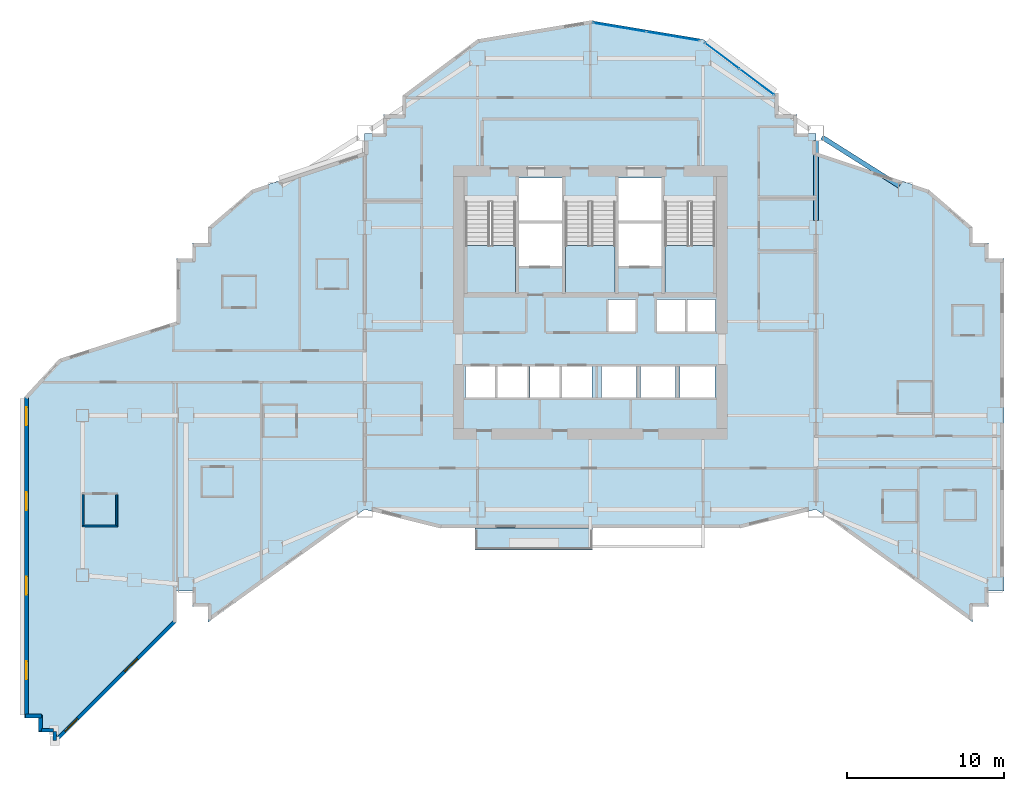
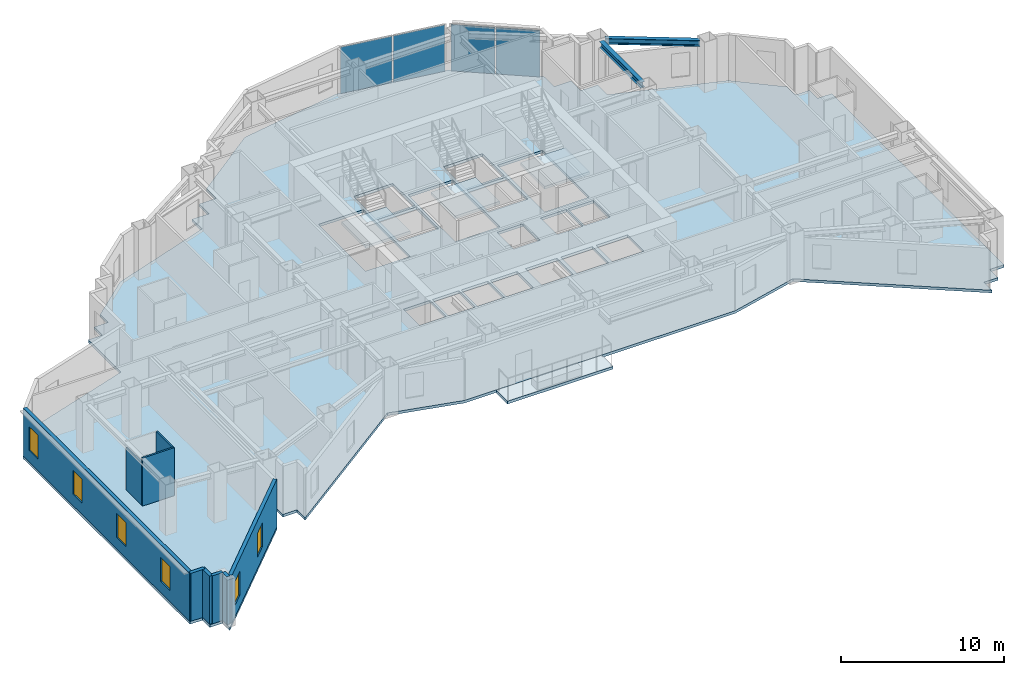
# One storey, part 4 of 14: 9 walls, 6 windows, 5 slabs, 4 plates, 2 beams, 6 openings, 5 elements without a shape of their own.
"""IFC4 building model written with IfcOpenShell, lengths in metres."""

from ifc_helpers import new_model, si_unit, direction, frame, frame_2d, origin, origin_2d, place, context, subcontext, project, spatial, polyline, rectangle, i_section, outline, extrude, material, layer, layer_set, material_profile, profile_set, type_object, element, fill, aggregate, save


model = new_model("IFC4")

# Units and contexts
model_context = context("Model", 3, precision=1e-05, world=origin(), true_north=direction((0.0, 1.0)))
body_context = subcontext(model_context, "Body", "Model", "MODEL_VIEW")
ifc_project = project(units=[si_unit("LENGTHUNIT", "METRE"), si_unit("AREAUNIT", "SQUARE_METRE"), si_unit("VOLUMEUNIT", "CUBIC_METRE"), si_unit("PLANEANGLEUNIT", "RADIAN"), si_unit("MASSUNIT", "GRAM", prefix="KILO")], contexts=[model_context])

# Site, building, storey
site_placement = place(None, origin())
site = spatial("IfcSite", under=ifc_project, at=site_placement, CompositionType="ELEMENT")
building_placement = place(site_placement, origin())
building = spatial("IfcBuilding", under=site, at=building_placement, Name="Haolan Belvedere Tower", CompositionType="ELEMENT")
storey_placement = place(building_placement, frame((0.0, 0.0, 113.60009765625)))
storey = spatial("IfcBuildingStorey", under=building, at=storey_placement, Name="L28", CompositionType="ELEMENT", Elevation=113.60009765625)

# Beams
ifc_material_1 = material(Name="Steel Q355B", Category="steel")
ifc_material_profile = material_profile(ifc_material_1, i_section(OverallWidth=0.300048828125, OverallDepth=0.43994140625, WebThickness=0.010986328125, FlangeThickness=0.01806640625, FilletRadius=0.02392578125, at=origin_2d()), Name="Steel Q355B")
ifc_profile_set = profile_set([ifc_material_profile], Name="Steel Q355B")
beam_type = type_object("IfcBeamType", Name="BM-HM440x300x11x18", PredefinedType="SPANDREL", material=ifc_profile_set)
beam_1_placement = place(storey_placement, frame((52.800048828125, 40.050048828125, 3.3798828125), z_axis=(0.0, 1.0, 0.0), x_axis=(-1.0, 0.0, 0.0)))
element("IfcBeam", 1, at=beam_1_placement, inside=storey, type_object=beam_type, Name="L28 spandrel girder TC-T3-E2-MC-T3-NE", PredefinedType="SPANDREL", context=body_context, shape_type="SweptSolid", body=[
    extrude(i_section(OverallWidth=0.300048828125, OverallDepth=0.43994140625, WebThickness=0.010986328125, FlangeThickness=0.01806640625, FilletRadius=0.02392578125, at=origin_2d()), origin(), (0.0, 0.0, 1.0), 5.099853515625),
])
beam_2_placement = place(storey_placement, frame((53.180419921875, 45.359619140625, 3.3798828125), z_axis=(0.845497840649, -0.533978839898, 0.0), x_axis=(0.533978839898, 0.845497840649, 0.0)))
element("IfcBeam", 2, at=beam_2_placement, inside=storey, type_object=beam_type, Name="L28 spandrel girder MC-T3-NE-TC-T4-N1", PredefinedType="SPANDREL", context=body_context, shape_type="SweptSolid", body=[
    extrude(i_section(OverallWidth=0.300048828125, OverallDepth=0.43994140625, WebThickness=0.010986328125, FlangeThickness=0.01806640625, FilletRadius=0.02392578125, at=origin_2d()), origin(), (0.0, 0.0, 1.0), 5.841796875),
])

# Curtain wall, plates
ifc_material_2 = material(Name="Anodised champagne-silver aluminium 6063-T6 and Low-E glass", Category="aluminium")
ifc_layer_1 = layer(ifc_material_2, 0.155029296875, Name="Anodised champagne-silver aluminium 6063-T6 and Low-E glass")
ifc_layer_set_1 = layer_set([ifc_layer_1], Name="Anodised champagne-silver aluminium 6063-T6 and Low-E glass")
curtain_wall_type = type_object("IfcCurtainWallType", Name="CW-SYS-03", PredefinedType="NOTDEFINED", material=ifc_layer_set_1)
curtain_wall_1_placement = place(storey_placement, origin())
curtain_wall_1 = element("IfcCurtainWall", 3, at=curtain_wall_1_placement, inside=storey, type_object=curtain_wall_type, Name="L28 CW-SYS-03 ribbon curtain wall 26.1", PredefinedType="NOTDEFINED")
ifc_material_3 = material(Name="Double silver Low-E laminated insulating glass", Category="glass")
ifc_layer_2 = layer(ifc_material_3, 0.02392578125, Name="Double silver Low-E laminated insulating glass")
ifc_layer_set_2 = layer_set([ifc_layer_2], Name="Double silver Low-E laminated insulating glass")
plate_type = type_object("IfcPlateType", Name="CW-SYS-03-PNL", PredefinedType="CURTAIN_PANEL", material=ifc_layer_set_2)
plate_1_placement = place(storey_placement, frame((49.0302734375, 48.877197265625, 0.0537109375), z_axis=(0.0, 0.0, 1.0), x_axis=(-0.800004262313, 0.599994316874, 0.0)))
plate_1 = element("IfcPlate", 4, at=plate_1_placement, type_object=plate_type, Name="CW-03 panel 1.1", PredefinedType="CURTAIN_PANEL", context=body_context, shape_type="SweptSolid", body=[
    extrude(rectangle(XDim=2.728271484375, YDim=0.02392578125, at=origin_2d()), origin(), (0.0, 0.0, 1.0), 3.491943359375),
])
plate_2_placement = place(storey_placement, frame((46.80126953125, 50.549072265625, 0.0537109375), z_axis=(0.0, 0.0, 1.0), x_axis=(-0.800004262313, 0.599994316874, 0.0)))
plate_2 = element("IfcPlate", 5, at=plate_2_placement, type_object=plate_type, Name="CW-03 panel 2.1", PredefinedType="CURTAIN_PANEL", context=body_context, shape_type="SweptSolid", body=[
    extrude(rectangle(XDim=2.728271484375, YDim=0.02392578125, at=origin_2d()), origin(), (0.0, 0.0, 1.0), 3.491943359375),
])
aggregate(curtain_wall_1, [plate_1, plate_2])

curtain_wall_2_placement = place(storey_placement, origin())
curtain_wall_2 = element("IfcCurtainWall", 6, at=curtain_wall_2_placement, inside=storey, type_object=curtain_wall_type, Name="L28 CW-SYS-03 ribbon curtain wall 27.1", PredefinedType="NOTDEFINED")
plate_3_placement = place(storey_placement, frame((43.68017578125, 51.79833984375, 0.0537109375), z_axis=(0.0, 0.0, 1.0), x_axis=(-0.9863931483, 0.16440364043, 0.0)))
plate_3 = element("IfcPlate", 7, at=plate_3_placement, type_object=plate_type, Name="CW-03 panel 1.1", PredefinedType="CURTAIN_PANEL", context=body_context, shape_type="SweptSolid", body=[
    extrude(rectangle(XDim=3.39794921875, YDim=0.02392578125, at=origin_2d()), origin(), (0.0, 0.0, 1.0), 3.491943359375),
])
plate_4_placement = place(storey_placement, frame((40.271240234375, 52.366455078125, 0.0537109375), z_axis=(0.0, 0.0, 1.0), x_axis=(-0.9863931483, 0.16440364043, 0.0)))
plate_4 = element("IfcPlate", 8, at=plate_4_placement, type_object=plate_type, Name="CW-03 panel 2.1", PredefinedType="CURTAIN_PANEL", context=body_context, shape_type="SweptSolid", body=[
    extrude(rectangle(XDim=3.39794921875, YDim=0.02392578125, at=origin_2d()), origin(), (0.0, 0.0, 1.0), 3.491943359375),
])
aggregate(curtain_wall_2, [plate_3, plate_4])

# Slabs
ifc_material_4 = material(Name="Concrete C40/50", Category="concrete")
ifc_layer_3 = layer(ifc_material_4, 0.2099609375, Name="Concrete C40/50")
ifc_layer_set_3 = layer_set([ifc_layer_3], Name="Concrete C40/50")
slab_type_1 = type_object("IfcSlabType", Name="SL-BAL-210", PredefinedType="FLOOR", material=ifc_layer_set_3)
slab_1_placement = place(storey_placement, frame((0.0, 0.0, -0.22998046875)))
element("IfcSlab", 9, at=slab_1_placement, inside=storey, type_object=slab_type_1, Name="L28 structural tree-planter balcony slab BAL-L28-S1", PredefinedType="FLOOR", context=body_context, shape_type="SweptSolid", body=[
    extrude(outline(polyline([(31.050048828125, 19.02001953125), (38.550048828125, 19.02001953125), (38.550048828125, 20.39990234375), (31.050048828125, 20.39990234375), (31.050048828125, 19.02001953125)])), origin(), (0.0, 0.0, 1.0), 0.2099609375),
])
ifc_layer_4 = layer(ifc_material_4, 0.199951171875, Name="Concrete C40/50")
ifc_layer_set_4 = layer_set([ifc_layer_4], Name="Concrete C40/50")
slab_type_2 = type_object("IfcSlabType", Name="SL-FLR-200", PredefinedType="FLOOR", material=ifc_layer_set_4)
slab_2_placement = place(storey_placement, frame((0.0, 0.0, -0.2001953125)))
element("IfcSlab", 10, at=slab_2_placement, inside=storey, type_object=slab_type_2, Name="L28 structural floor slab", PredefinedType="FLOOR", context=body_context, shape_type="SweptSolid", body=[
    extrude(outline(polyline([(12.0, 14.39990234375), (12.0, 16.39990234375), (13.0, 16.39990234375), (13.0, 15.39990234375), (14.0, 15.39990234375), (14.0, 14.39990234375), (24.0, 21.60009765625), (28.800048828125, 20.39990234375), (48.0, 20.39990234375), (52.800048828125, 21.60009765625), (62.800048828125, 14.39990234375), (62.800048828125, 15.39990234375), (63.800048828125, 15.39990234375), (63.800048828125, 16.39990234375), (64.800048828125, 16.39990234375), (64.800048828125, 37.60009765625), (63.800048828125, 37.60009765625), (63.800048828125, 38.60009765625), (62.800048828125, 38.60009765625), (62.800048828125, 39.60009765625), (60.0, 42.0), (52.800048828125, 44.39990234375), (52.800048828125, 45.60009765625), (51.60009765625, 45.60009765625), (51.60009765625, 46.800048828125), (50.39990234375, 46.800048828125), (50.39990234375, 48.0), (45.60009765625, 51.60009765625), (38.39990234375, 52.800048828125), (31.199951171875, 51.60009765625), (26.39990234375, 48.0), (26.39990234375, 46.800048828125), (25.199951171875, 46.800048828125), (25.199951171875, 45.60009765625), (24.0, 45.60009765625), (24.0, 44.39990234375), (16.800048828125, 42.0), (14.0, 39.60009765625), (14.0, 38.60009765625), (13.0, 38.60009765625), (13.0, 37.60009765625), (12.0, 37.60009765625), (12.0, 33.60009765625), (4.5, 31.199951171875), (2.300048828125, 28.800048828125), (2.300048828125, 8.89501953125), (2.300048828125, 8.294921875), (3.199951171875, 8.294921875), (3.199951171875, 7.39501953125), (4.10009765625, 7.39501953125), (4.10009765625, 6.4951171875), (12.0, 14.39990234375)]), holes=[polyline([(30.449951171875, 41.22998046875), (30.449951171875, 35.449951171875), (33.6298828125, 35.449951171875), (33.6298828125, 41.22998046875), (30.449951171875, 41.22998046875)]), polyline([(36.81005859375, 41.22998046875), (36.81005859375, 35.449951171875), (39.989990234375, 35.449951171875), (39.989990234375, 41.22998046875), (36.81005859375, 41.22998046875)]), polyline([(43.169921875, 41.22998046875), (43.169921875, 35.449951171875), (46.35009765625, 35.449951171875), (46.35009765625, 41.22998046875), (43.169921875, 41.22998046875)]), polyline([(33.830078125, 40.050048828125), (36.610107421875, 40.050048828125), (36.610107421875, 42.75), (33.830078125, 42.75), (33.830078125, 40.050048828125)]), polyline([(33.830078125, 37.14990234375), (36.610107421875, 37.14990234375), (36.610107421875, 39.85009765625), (33.830078125, 39.85009765625), (33.830078125, 37.14990234375)]), polyline([(40.18994140625, 40.050048828125), (42.969970703125, 40.050048828125), (42.969970703125, 42.75), (40.18994140625, 42.75), (40.18994140625, 40.050048828125)]), polyline([(40.18994140625, 37.14990234375), (42.969970703125, 37.14990234375), (42.969970703125, 39.85009765625), (40.18994140625, 39.85009765625), (40.18994140625, 37.14990234375)]), polyline([(39.5400390625, 32.949951171875), (41.389892578125, 32.949951171875), (41.389892578125, 35.0), (39.5400390625, 35.0), (39.5400390625, 32.949951171875)]), polyline([(42.6201171875, 32.949951171875), (44.469970703125, 32.949951171875), (44.469970703125, 35.0), (42.6201171875, 35.0), (42.6201171875, 32.949951171875)]), polyline([(44.580078125, 32.949951171875), (46.3798828125, 32.949951171875), (46.3798828125, 35.0), (44.580078125, 35.0), (44.580078125, 32.949951171875)]), polyline([(30.419921875, 28.75), (32.320068359375, 28.75), (32.320068359375, 30.75), (30.419921875, 30.75), (30.419921875, 28.75)]), polyline([(32.47998046875, 28.75), (34.3798828125, 28.75), (34.3798828125, 30.75), (32.47998046875, 30.75), (32.47998046875, 28.75)]), polyline([(34.5400390625, 28.75), (36.43994140625, 28.75), (36.43994140625, 30.75), (34.5400390625, 30.75), (34.5400390625, 28.75)]), polyline([(36.60009765625, 28.75), (38.5, 28.75), (38.5, 30.75), (36.60009765625, 30.75), (36.60009765625, 28.75)]), polyline([(39.10009765625, 28.75), (41.340087890625, 28.75), (41.340087890625, 30.75), (39.10009765625, 30.75), (39.10009765625, 28.75)]), polyline([(41.610107421875, 28.75), (43.85009765625, 28.75), (43.85009765625, 30.75), (41.610107421875, 30.75), (41.610107421875, 28.75)]), polyline([(44.1201171875, 28.75), (46.360107421875, 28.75), (46.360107421875, 30.75), (44.1201171875, 30.75), (44.1201171875, 28.75)])]), origin(), (0.0, 0.0, 1.0), 0.2001953125),
])

# Stair, slab
stair_type = type_object("IfcStairType", Name="STR-DL-22R-173", PredefinedType="HALF_TURN_STAIR", material=ifc_material_4)
stair_1_placement = place(storey_placement, origin())
stair_1 = element("IfcStair", 11, at=stair_1_placement, inside=storey, type_object=stair_type, Name="L28 Smokeproof Core Exit Stair ST1", PredefinedType="HALF_TURN_STAIR")
ifc_layer_5 = layer(ifc_material_4, 0.199951171875, Name="Concrete C40/50")
ifc_layer_set_5 = layer_set([ifc_layer_5], Name="Concrete C40/50")
slab_type_3 = type_object("IfcSlabType", Name="SL-LAND-200", PredefinedType="LANDING", material=ifc_layer_set_5)
slab_3_placement = place(storey_placement, frame((0.0, 0.0, 1.699951171875)))
slab_3 = element("IfcSlab", 12, at=slab_3_placement, type_object=slab_type_3, Name="ST1 landing 1", PredefinedType="LANDING", context=body_context, shape_type="SweptSolid", body=[
    extrude(outline(polyline([(30.449951171875, 38.429931640625), (30.449951171875, 35.449951171875), (33.6298828125, 35.449951171875), (33.6298828125, 38.429931640625), (30.449951171875, 38.429931640625)])), origin(), (0.0, 0.0, 1.0), 0.199951171875),
])
aggregate(stair_1, [slab_3])

stair_2_placement = place(storey_placement, origin())
stair_2 = element("IfcStair", 13, at=stair_2_placement, inside=storey, type_object=stair_type, Name="L28 Smokeproof Core Exit Stair ST3", PredefinedType="HALF_TURN_STAIR")
slab_4_placement = place(storey_placement, frame((0.0, 0.0, 1.699951171875)))
slab_4 = element("IfcSlab", 14, at=slab_4_placement, type_object=slab_type_3, Name="ST3 landing 1", PredefinedType="LANDING", context=body_context, shape_type="SweptSolid", body=[
    extrude(outline(polyline([(36.81005859375, 38.429931640625), (36.81005859375, 35.449951171875), (39.989990234375, 35.449951171875), (39.989990234375, 38.429931640625), (36.81005859375, 38.429931640625)])), origin(), (0.0, 0.0, 1.0), 0.199951171875),
])
aggregate(stair_2, [slab_4])

stair_3_placement = place(storey_placement, origin())
stair_3 = element("IfcStair", 15, at=stair_3_placement, inside=storey, type_object=stair_type, Name="L28 Smokeproof Core Exit Stair ST2", PredefinedType="HALF_TURN_STAIR")
slab_5_placement = place(storey_placement, frame((0.0, 0.0, 1.699951171875)))
slab_5 = element("IfcSlab", 16, at=slab_5_placement, type_object=slab_type_3, Name="ST2 landing 1", PredefinedType="LANDING", context=body_context, shape_type="SweptSolid", body=[
    extrude(outline(polyline([(43.169921875, 38.429931640625), (43.169921875, 35.449951171875), (46.35009765625, 35.449951171875), (46.35009765625, 38.429931640625), (43.169921875, 38.429931640625)])), origin(), (0.0, 0.0, 1.0), 0.199951171875),
])
aggregate(stair_3, [slab_5])

# Wall, openings, windows
ifc_material_5 = material(Name="Precast concrete C40/50", Category="concrete")
ifc_layer_6 = layer(ifc_material_5, 0.239990234375, Name="Precast concrete C40/50")
ifc_layer_set_6 = layer_set([ifc_layer_6], Name="Precast concrete C40/50")
wall_type_1 = type_object("IfcWallType", Name="WL-EXT-240", PredefinedType="SOLIDWALL", material=ifc_layer_set_6)
wall_1_placement = place(storey_placement, frame((2.419921875, 28.808349609375, 0.0), z_axis=(0.0, 0.0, 1.0), x_axis=(0.0, -1.0, 0.0)))
wall_1 = element("IfcWall", 17, at=wall_1_placement, inside=storey, type_object=wall_type_1, Name="L28 pale-metal exterior spandrel wall 44.1", PredefinedType="SOLIDWALL", context=body_context, shape_type="SweptSolid", body=[
    extrude(rectangle(XDim=20.4482421875, YDim=0.239990234375, at=frame_2d((10.22412109375, 0.0))), origin(), (0.0, 0.0, 1.0), 3.599853515625),
])
opening_1_placement = place(wall_1_placement, frame((0.699951171875, 0.0, 0.85009765625)))
opening_1 = element("IfcOpeningElement", 18, at=opening_1_placement, cuts=wall_1, Name="Opening W-02", PredefinedType="OPENING", context=body_context, shape_type="SweptSolid", body=[
    extrude(rectangle(XDim=1.14990234375, YDim=1.800048828125, at=frame_2d((0.574951171875, 0.89990234375))), frame((0.0, 0.1298828125, 0.0), z_axis=(0.0, -1.0, 0.0), x_axis=(1.0, 0.0, 0.0)), (0.0, 0.0, 1.0), 0.260009765625),
])
opening_2_placement = place(wall_1_placement, frame((6.10009765625, 0.0, 0.85009765625)))
opening_2 = element("IfcOpeningElement", 19, at=opening_2_placement, cuts=wall_1, Name="Opening W-02", PredefinedType="OPENING", context=body_context, shape_type="SweptSolid", body=[
    extrude(rectangle(XDim=1.14990234375, YDim=1.800048828125, at=frame_2d((0.574951171875, 0.89990234375))), frame((0.0, 0.1298828125, 0.0), z_axis=(0.0, -1.0, 0.0), x_axis=(1.0, 0.0, 0.0)), (0.0, 0.0, 1.0), 0.260009765625),
])
opening_3_placement = place(wall_1_placement, frame((11.5, 0.0, 0.85009765625)))
opening_3 = element("IfcOpeningElement", 20, at=opening_3_placement, cuts=wall_1, Name="Opening W-02", PredefinedType="OPENING", context=body_context, shape_type="SweptSolid", body=[
    extrude(rectangle(XDim=1.14990234375, YDim=1.800048828125, at=frame_2d((0.574951171875, 0.89990234375))), frame((0.0, 0.1298828125, 0.0), z_axis=(0.0, -1.0, 0.0), x_axis=(1.0, 0.0, 0.0)), (0.0, 0.0, 1.0), 0.260009765625),
])
opening_4_placement = place(wall_1_placement, frame((16.89990234375, 0.0, 0.85009765625)))
opening_4 = element("IfcOpeningElement", 21, at=opening_4_placement, cuts=wall_1, Name="Opening W-02", PredefinedType="OPENING", context=body_context, shape_type="SweptSolid", body=[
    extrude(rectangle(XDim=1.14990234375, YDim=1.800048828125, at=frame_2d((0.574951171875, 0.89990234375))), frame((0.0, 0.1298828125, 0.0), z_axis=(0.0, -1.0, 0.0), x_axis=(1.0, 0.0, 0.0)), (0.0, 0.0, 1.0), 0.260009765625),
])
ifc_material_6 = material(Name="Anodised aluminium 6063-T6 and Low-E glass", Category="aluminium")
window_type = type_object("IfcWindowType", Name="WN-DECO-Z2", PartitioningType="SINGLE_PANEL", PredefinedType="WINDOW", material=ifc_material_6)
window_1_placement = place(opening_1_placement, origin())
window_1 = element("IfcWindow", 22, at=window_1_placement, inside=storey, type_object=window_type, Name="L28 Art Deco chevron window 1", OverallHeight=1.800048828125, OverallWidth=1.14990234375, PartitioningType="SINGLE_PANEL", PredefinedType="WINDOW", context=body_context, shape_type="SweptSolid", body=[
    extrude(rectangle(XDim=1.14990234375, YDim=1.800048828125, at=frame_2d((0.574951171875, 0.89990234375))), frame((0.0, 0.030029296875, 0.0), z_axis=(0.0, -1.0, 0.0), x_axis=(1.0, 0.0, 0.0)), (0.0, 0.0, 1.0), 0.06005859375),
])
fill(opening_1, window_1)
window_2_placement = place(opening_2_placement, origin())
window_2 = element("IfcWindow", 23, at=window_2_placement, inside=storey, type_object=window_type, Name="L28 Art Deco chevron window 2", OverallHeight=1.800048828125, OverallWidth=1.14990234375, PartitioningType="SINGLE_PANEL", PredefinedType="WINDOW", context=body_context, shape_type="SweptSolid", body=[
    extrude(rectangle(XDim=1.14990234375, YDim=1.800048828125, at=frame_2d((0.574951171875, 0.89990234375))), frame((0.0, 0.030029296875, 0.0), z_axis=(0.0, -1.0, 0.0), x_axis=(1.0, 0.0, 0.0)), (0.0, 0.0, 1.0), 0.06005859375),
])
fill(opening_2, window_2)
window_3_placement = place(opening_3_placement, origin())
window_3 = element("IfcWindow", 24, at=window_3_placement, inside=storey, type_object=window_type, Name="L28 Art Deco chevron window 3", OverallHeight=1.800048828125, OverallWidth=1.14990234375, PartitioningType="SINGLE_PANEL", PredefinedType="WINDOW", context=body_context, shape_type="SweptSolid", body=[
    extrude(rectangle(XDim=1.14990234375, YDim=1.800048828125, at=frame_2d((0.574951171875, 0.89990234375))), frame((0.0, 0.030029296875, 0.0), z_axis=(0.0, -1.0, 0.0), x_axis=(1.0, 0.0, 0.0)), (0.0, 0.0, 1.0), 0.06005859375),
])
fill(opening_3, window_3)
window_4_placement = place(opening_4_placement, origin())
window_4 = element("IfcWindow", 25, at=window_4_placement, inside=storey, type_object=window_type, Name="L28 Art Deco chevron window 4", OverallHeight=1.800048828125, OverallWidth=1.14990234375, PartitioningType="SINGLE_PANEL", PredefinedType="WINDOW", context=body_context, shape_type="SweptSolid", body=[
    extrude(rectangle(XDim=1.14990234375, YDim=1.800048828125, at=frame_2d((0.574951171875, 0.89990234375))), frame((0.0, 0.030029296875, 0.0), z_axis=(0.0, -1.0, 0.0), x_axis=(1.0, 0.0, 0.0)), (0.0, 0.0, 1.0), 0.06005859375),
])
fill(opening_4, window_4)

# Walls
for number, where, z_axis, x_axis, name in (
    (26, (2.364990234375, 8.4150390625, 0.0), (0.0, 0.0, 1.0), (1.0, 0.0, 0.0), "L28 pale-metal exterior spandrel wall 45.1"),
    (27, (3.320068359375, 8.469970703125, 0.0), (0.0, 0.0, 1.0), (0.0, -1.0, 0.0), "L28 pale-metal exterior spandrel wall 46.1"),
):
    element("IfcWall", number, at=place(storey_placement, frame(where, z_axis=z_axis, x_axis=x_axis)), inside=storey, type_object=wall_type_1, Name=name, PredefinedType="SOLIDWALL", context=body_context, shape_type="SweptSolid", body=[
        extrude(rectangle(XDim=1.010009765625, YDim=0.239990234375, at=frame_2d((0.5048828125, 0.0))), origin(), (0.0, 0.0, 1.0), 3.599853515625),
    ])
wall_2_placement = place(storey_placement, frame((3.385009765625, 7.514892578125, 0.0), z_axis=(0.0, 0.0, 1.0), x_axis=(1.0, 0.0, 0.0)))
element("IfcWall", 28, at=wall_2_placement, inside=storey, type_object=wall_type_1, Name="L28 pale-metal exterior spandrel wall 47.1", PredefinedType="SOLIDWALL", context=body_context, shape_type="SweptSolid", body=[
    extrude(rectangle(XDim=0.75, YDim=0.239990234375, at=frame_2d((0.375, 0.0))), origin(), (0.0, 0.0, 1.0), 3.599853515625),
])
wall_3_placement = place(storey_placement, frame((4.219970703125, 7.429931640625, 0.0), z_axis=(0.0, 0.0, 1.0), x_axis=(0.0, -1.0, 0.0)))
element("IfcWall", 29, at=wall_3_placement, inside=storey, type_object=wall_type_1, Name="L28 pale-metal exterior spandrel wall 48.1", PredefinedType="SOLIDWALL", context=body_context, shape_type="SweptSolid", body=[
    extrude(rectangle(XDim=0.56005859375, YDim=0.239990234375, at=frame_2d((0.280029296875, 0.0))), origin(), (0.0, 0.0, 1.0), 3.599853515625),
])

# Wall, openings, windows
wall_4_placement = place(storey_placement, frame((4.37548828125, 6.9404296875, 0.0), z_axis=(0.0, 0.0, 1.0), x_axis=(0.706889405259, 0.70732409031, 0.0)))
wall_4 = element("IfcWall", 30, at=wall_4_placement, inside=storey, type_object=wall_type_1, Name="L28 pale-metal exterior spandrel wall 49.1", PredefinedType="SOLIDWALL", context=body_context, shape_type="SweptSolid", body=[
    extrude(rectangle(XDim=10.67138671875, YDim=0.239990234375, at=frame_2d((5.335693359375, 0.0))), origin(), (0.0, 0.0, 1.0), 3.599853515625),
])
opening_5_placement = place(wall_4_placement, frame((0.699951171875, 0.0, 0.85009765625)))
opening_5 = element("IfcOpeningElement", 31, at=opening_5_placement, cuts=wall_4, Name="Opening W-02", PredefinedType="OPENING", context=body_context, shape_type="SweptSolid", body=[
    extrude(rectangle(XDim=1.14990234375, YDim=1.800048828125, at=frame_2d((0.574951171875, 0.89990234375))), frame((0.0, 0.1298828125, 0.0), z_axis=(0.0, -1.0, 0.0), x_axis=(1.0, 0.0, 0.0)), (0.0, 0.0, 1.0), 0.260009765625),
])
opening_6_placement = place(wall_4_placement, frame((6.10009765625, 0.0, 0.85009765625)))
opening_6 = element("IfcOpeningElement", 32, at=opening_6_placement, cuts=wall_4, Name="Opening W-02", PredefinedType="OPENING", context=body_context, shape_type="SweptSolid", body=[
    extrude(rectangle(XDim=1.14990234375, YDim=1.800048828125, at=frame_2d((0.574951171875, 0.89990234375))), frame((0.0, 0.1298828125, 0.0), z_axis=(0.0, -1.0, 0.0), x_axis=(1.0, 0.0, 0.0)), (0.0, 0.0, 1.0), 0.260009765625),
])
window_5_placement = place(opening_5_placement, origin())
window_5 = element("IfcWindow", 33, at=window_5_placement, inside=storey, type_object=window_type, Name="L28 Art Deco chevron window 1", OverallHeight=1.800048828125, OverallWidth=1.14990234375, PartitioningType="SINGLE_PANEL", PredefinedType="WINDOW", context=body_context, shape_type="SweptSolid", body=[
    extrude(rectangle(XDim=1.14990234375, YDim=1.800048828125, at=frame_2d((0.574951171875, 0.89990234375))), frame((0.0, 0.030029296875, 0.0), z_axis=(0.0, -1.0, 0.0), x_axis=(1.0, 0.0, 0.0)), (0.0, 0.0, 1.0), 0.06005859375),
])
fill(opening_5, window_5)
window_6_placement = place(opening_6_placement, origin())
window_6 = element("IfcWindow", 34, at=window_6_placement, inside=storey, type_object=window_type, Name="L28 Art Deco chevron window 2", OverallHeight=1.800048828125, OverallWidth=1.14990234375, PartitioningType="SINGLE_PANEL", PredefinedType="WINDOW", context=body_context, shape_type="SweptSolid", body=[
    extrude(rectangle(XDim=1.14990234375, YDim=1.800048828125, at=frame_2d((0.574951171875, 0.89990234375))), frame((0.0, 0.030029296875, 0.0), z_axis=(0.0, -1.0, 0.0), x_axis=(1.0, 0.0, 0.0)), (0.0, 0.0, 1.0), 0.06005859375),
])
fill(opening_6, window_6)

# Walls
ifc_material_7 = material(Name="Moisture-resistant gypsum tile partition", Category="masonry")
ifc_layer_7 = layer(ifc_material_7, 0.1201171875, Name="Moisture-resistant gypsum tile partition")
ifc_layer_set_7 = layer_set([ifc_layer_7], Name="Moisture-resistant gypsum tile partition")
wall_type_2 = type_object("IfcWallType", Name="WL-WET-120", PredefinedType="PARTITIONING", material=ifc_layer_set_7)
wall_5_placement = place(storey_placement, frame((5.971923828125, 20.5419921875, 0.0), z_axis=(0.0, 0.0, 1.0), x_axis=(1.0, 0.0, 0.0)))
element("IfcWall", 35, at=wall_5_placement, inside=storey, type_object=wall_type_2, Name="L28 interior partition IW-L28-T1S1-BS", PredefinedType="PARTITIONING", context=body_context, shape_type="SweptSolid", body=[
    extrude(rectangle(XDim=2.27001953125, YDim=0.1201171875, at=frame_2d((1.135009765625, 0.0))), origin(), (0.0, 0.0, 1.0), 3.599853515625),
])
wall_6_placement = place(storey_placement, frame((6.031982421875, 20.5869140625, 0.0), z_axis=(0.0, 0.0, 1.0), x_axis=(0.0, 1.0, 0.0)))
element("IfcWall", 36, at=wall_6_placement, inside=storey, type_object=wall_type_2, Name="L28 interior partition IW-L28-T1S1-BW", PredefinedType="PARTITIONING", context=body_context, shape_type="SweptSolid", body=[
    extrude(rectangle(XDim=1.960205078125, YDim=0.1201171875, at=frame_2d((0.97998046875, 0.0))), origin(), (0.0, 0.0, 1.0), 3.14501953125),
])
wall_7_placement = place(storey_placement, frame((8.181884765625, 20.5869140625, 0.0), z_axis=(0.0, 0.0, 1.0), x_axis=(0.0, 1.0, 0.0)))
element("IfcWall", 37, at=wall_7_placement, inside=storey, type_object=wall_type_2, Name="L28 interior partition IW-L28-T1S1-BE", PredefinedType="PARTITIONING", context=body_context, shape_type="SweptSolid", body=[
    extrude(rectangle(XDim=1.960205078125, YDim=0.1201171875, at=frame_2d((0.97998046875, 0.0))), origin(), (0.0, 0.0, 1.0), 3.599853515625),
])

save(model, "model.ifc")
